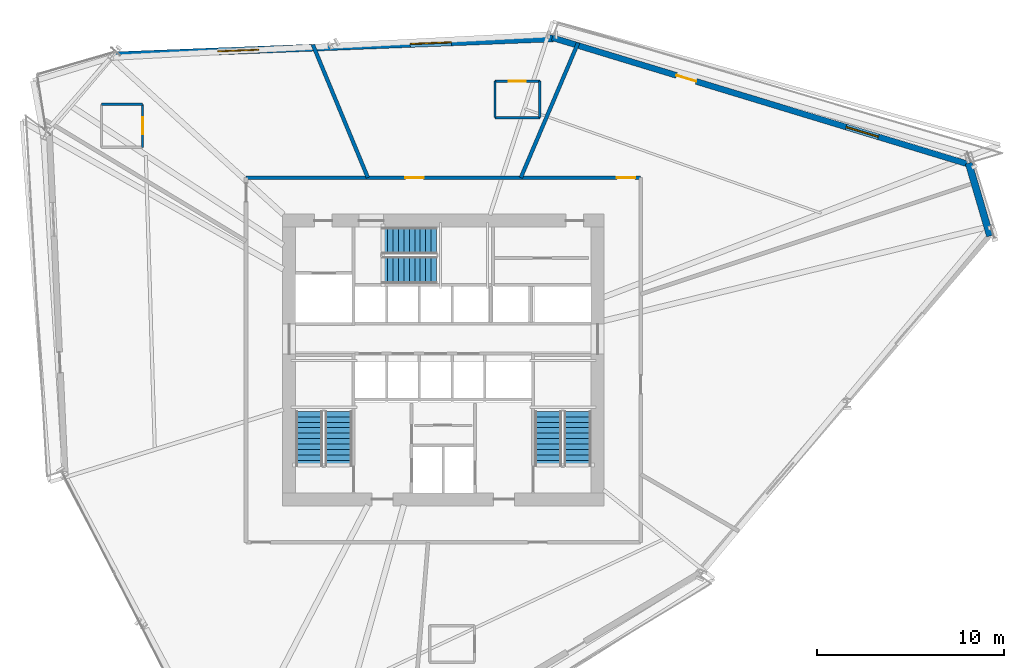
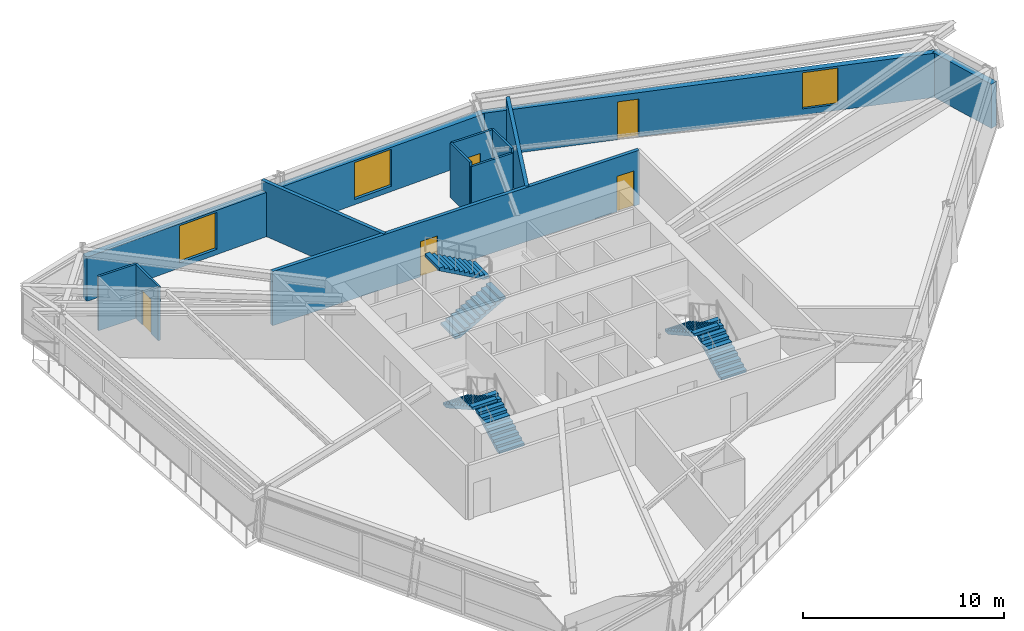
# One storey, part 15 of 19: 12 walls, 6 stair flights, 5 doors, 3 windows, 8 openings, 3 elements without a shape of their own.
"""IFC4 building model written with IfcOpenShell, lengths in metres."""

from ifc_helpers import new_model, si_unit, direction, frame, frame_2d, origin, place, context, subcontext, project, spatial, polyline, rectangle, outline, extrude, source, transform, mapped, material, layer, layer_set, type_object, type_shapes, element, fill, aggregate, save


model = new_model("IFC4")

# Units and contexts
model_context = context("Model", 3, precision=1e-05, world=origin(), true_north=direction((0.0, 1.0)))
body_context = subcontext(model_context, "Body", "Model", "MODEL_VIEW")
ifc_project = project(units=[si_unit("LENGTHUNIT", "METRE"), si_unit("AREAUNIT", "SQUARE_METRE"), si_unit("VOLUMEUNIT", "CUBIC_METRE"), si_unit("PLANEANGLEUNIT", "RADIAN"), si_unit("MASSUNIT", "GRAM", prefix="KILO")], contexts=[model_context])

# Site, building, storey
site_placement = place(None, origin())
site = spatial("IfcSite", under=ifc_project, at=site_placement, CompositionType="ELEMENT")
building_placement = place(site_placement, origin())
building = spatial("IfcBuilding", under=site, at=building_placement, Name="Olszyna Solenne Hotel", CompositionType="ELEMENT")
storey_placement = place(building_placement, frame((0.0, 0.0, 102.14990234375)))
storey = spatial("IfcBuildingStorey", under=building, at=storey_placement, Name="L26", CompositionType="ELEMENT", Elevation=102.14990234375)

# Wall, openings, door, window
ifc_material_1 = material(Name="Precast concrete C45/55", Category="concrete")
ifc_layer_1 = layer(ifc_material_1, 0.320068359375, Name="Precast concrete C45/55")
ifc_layer_set_1 = layer_set([ifc_layer_1], Name="Precast concrete C45/55")
wall_type_1 = type_object("IfcWallType", Name="WL-EX320", PredefinedType="SOLIDWALL", material=ifc_layer_set_1)
wall_1_placement = place(storey_placement, frame((43.819580078125, 43.837890625, 0.0), z_axis=(0.0, 0.0, 1.0), x_axis=(0.956744940145, -0.290928031491, 0.0)))
wall_1 = element("IfcWall", 1, at=wall_1_placement, inside=storey, type_object=wall_type_1, Name="Exterior terracotta-precast frame wall WL-EX320 EW-L26-08", PredefinedType="SOLIDWALL", context=body_context, shape_type="SweptSolid", body=[
    extrude(rectangle(XDim=23.41650390625, YDim=0.320068359375, at=frame_2d((11.708251953125, 0.0))), origin(), (0.0, 0.0, 1.0), 2.692138671875),
])
opening_1_placement = place(wall_1_placement, frame((6.943115234375, 0.0, 0.0)))
opening_1 = element("IfcOpeningElement", 2, at=opening_1_placement, cuts=wall_1, Name="Opening LDG-L26-1", PredefinedType="OPENING", context=body_context, shape_type="SweptSolid", body=[
    extrude(rectangle(XDim=1.10009765625, YDim=2.300048828125, at=frame_2d((0.550048828125, 1.14990234375))), frame((0.0, 0.169921875, 0.0), z_axis=(0.0, -1.0, 0.0), x_axis=(1.0, 0.0, 0.0)), (0.0, 0.0, 1.0), 0.340087890625),
])
opening_2_placement = place(wall_1_placement, frame((16.427978515625, 0.0, 0.3720703125)))
opening_2 = element("IfcOpeningElement", 3, at=opening_2_placement, cuts=wall_1, Name="Opening WN-L26-144", PredefinedType="OPENING", context=body_context, shape_type="SweptSolid", body=[
    extrude(rectangle(XDim=1.800048828125, YDim=2.199951171875, at=frame_2d((0.89990234375, 1.10009765625))), frame((0.0, 0.169921875, 0.0), z_axis=(0.0, -1.0, 0.0), x_axis=(1.0, 0.0, 0.0)), (0.0, 0.0, 1.0), 0.340087890625),
])
ifc_material_2 = material(Name="Anodised bronze aluminium", Category="aluminium")
door_type_1 = type_object("IfcDoorType", Name="DR-LG1", OperationType="NOTDEFINED", PredefinedType="DOOR", material=ifc_material_2)
shared_shape_1 = source(origin(), body_context, "Body", "SweptSolid", [
    extrude(rectangle(XDim=1.10009765625, YDim=2.300048828125, at=frame_2d((0.550048828125, 1.14990234375))), frame((0.0, 0.02490234375, 0.0), z_axis=(0.0, -1.0, 0.0), x_axis=(1.0, 0.0, 0.0)), (0.0, 0.0, 1.0), 0.050048828125),
])
type_shapes(door_type_1, [shared_shape_1])
door_1_placement = place(opening_1_placement, origin())
door_1 = element("IfcDoor", 4, at=door_1_placement, inside=storey, type_object=door_type_1, Name="Exterior loggia balcony door DR-LG1 LDG-L26-1", OperationType="SINGLE_SWING_RIGHT", OverallHeight=2.300048828125, OverallWidth=1.10009765625, PredefinedType="DOOR", context=body_context, shape_type="MappedRepresentation", body=[
    mapped(shared_shape_1, transform((0.0, 0.0, 0.0), x_axis=(1.0, 0.0, 0.0), y_axis=(0.0, 1.0, 0.0), z_axis=(0.0, 0.0, 1.0), scale=1.0)),
])
fill(opening_1, door_1)
ifc_material_3 = material(Name="Low-E triple glazing", Category="glass")
window_type_1 = type_object("IfcWindowType", Name="WN-HT1", PartitioningType="SINGLE_PANEL", PredefinedType="WINDOW", material=ifc_material_3)
shared_shape_2 = source(origin(), body_context, "Body", "SweptSolid", [
    extrude(rectangle(XDim=1.800048828125, YDim=2.199951171875, at=frame_2d((0.89990234375, 1.10009765625))), frame((0.0, 0.030029296875, 0.0), z_axis=(0.0, -1.0, 0.0), x_axis=(1.0, 0.0, 0.0)), (0.0, 0.0, 1.0), 0.06005859375),
])
type_shapes(window_type_1, [shared_shape_2])
window_1_placement = place(opening_2_placement, origin())
window_1 = element("IfcWindow", 5, at=window_1_placement, inside=storey, type_object=window_type_1, Name="Loggia room window WN-HT1 WN-L26-144", OverallHeight=2.199951171875, OverallWidth=1.800048828125, PartitioningType="SINGLE_PANEL", PredefinedType="WINDOW", context=body_context, shape_type="MappedRepresentation", body=[
    mapped(shared_shape_2, transform((0.0, 0.0, 0.0), x_axis=(1.0, 0.0, 0.0), y_axis=(0.0, 1.0, 0.0), z_axis=(0.0, 0.0, 1.0), scale=1.0)),
])
fill(opening_2, window_1)

# Wall, openings, windows
ifc_material_4 = material(Name="Terracotta cladding on precast concrete C45/55", Category="masonry")
ifc_layer_2 = layer(ifc_material_4, 0.3798828125, Name="Terracotta cladding on precast concrete C45/55")
ifc_layer_set_2 = layer_set([ifc_layer_2], Name="Terracotta cladding on precast concrete C45/55")
wall_type_2 = type_object("IfcWallType", Name="WL-EX380", PredefinedType="SOLIDWALL", material=ifc_layer_set_2)
wall_2_placement = place(storey_placement, frame((20.474853515625, 42.893798828125, 0.0), z_axis=(0.0, 0.0, 1.0), x_axis=(0.999249191087, 0.038743439593, 0.0)))
wall_2 = element("IfcWall", 6, at=wall_2_placement, inside=storey, type_object=wall_type_2, Name="Exterior terracotta-precast frame wall WL-EX380 EW-L26-07", PredefinedType="SOLIDWALL", context=body_context, shape_type="SweptSolid", body=[
    extrude(rectangle(XDim=23.416259765625, YDim=0.3798828125, at=frame_2d((11.7080078125, 0.0))), origin(), (0.0, 0.0, 1.0), 2.692138671875),
])
opening_3_placement = place(wall_2_placement, frame((5.45703125, 0.0, 0.322021484375)))
opening_3 = element("IfcOpeningElement", 7, at=opening_3_placement, cuts=wall_2, Name="Opening WN-L26-142", PredefinedType="OPENING", context=body_context, shape_type="SweptSolid", body=[
    extrude(rectangle(XDim=2.199951171875, YDim=2.25, at=frame_2d((1.10009765625, 1.125))), frame((0.0, 0.199951171875, 0.0), z_axis=(0.0, -1.0, 0.0), x_axis=(1.0, 0.0, 0.0)), (0.0, 0.0, 1.0), 0.39990234375),
])
opening_4_placement = place(wall_2_placement, frame((15.760009765625, 0.0, 0.322021484375)))
opening_4 = element("IfcOpeningElement", 8, at=opening_4_placement, cuts=wall_2, Name="Opening WN-L26-143", PredefinedType="OPENING", context=body_context, shape_type="SweptSolid", body=[
    extrude(rectangle(XDim=2.199951171875, YDim=2.25, at=frame_2d((1.10009765625, 1.125))), frame((0.0, 0.199951171875, 0.0), z_axis=(0.0, -1.0, 0.0), x_axis=(1.0, 0.0, 0.0)), (0.0, 0.0, 1.0), 0.39990234375),
])
window_type_2 = type_object("IfcWindowType", Name="WN-HT2", PartitioningType="SINGLE_PANEL", PredefinedType="WINDOW", material=ifc_material_3)
shared_shape_3 = source(origin(), body_context, "Body", "SweptSolid", [
    extrude(rectangle(XDim=2.199951171875, YDim=2.25, at=frame_2d((1.10009765625, 1.125))), frame((0.0, 0.030029296875, 0.0), z_axis=(0.0, -1.0, 0.0), x_axis=(1.0, 0.0, 0.0)), (0.0, 0.0, 1.0), 0.06005859375),
])
type_shapes(window_type_2, [shared_shape_3])
window_2_placement = place(opening_3_placement, origin())
window_2 = element("IfcWindow", 9, at=window_2_placement, inside=storey, type_object=window_type_2, Name="Exterior facade window WN-HT2 WN-L26-142", OverallHeight=2.25, OverallWidth=2.199951171875, PartitioningType="SINGLE_PANEL", PredefinedType="WINDOW", context=body_context, shape_type="MappedRepresentation", body=[
    mapped(shared_shape_3, transform((0.0, 0.0, 0.0), x_axis=(1.0, 0.0, 0.0), y_axis=(0.0, 1.0, 0.0), z_axis=(0.0, 0.0, 1.0), scale=1.0)),
])
fill(opening_3, window_2)
window_3_placement = place(opening_4_placement, origin())
window_3 = element("IfcWindow", 10, at=window_3_placement, inside=storey, type_object=window_type_2, Name="Exterior facade window WN-HT2 WN-L26-143", OverallHeight=2.25, OverallWidth=2.199951171875, PartitioningType="SINGLE_PANEL", PredefinedType="WINDOW", context=body_context, shape_type="MappedRepresentation", body=[
    mapped(shared_shape_3, transform((0.0, 0.0, 0.0), x_axis=(1.0, 0.0, 0.0), y_axis=(0.0, 1.0, 0.0), z_axis=(0.0, 0.0, 1.0), scale=1.0)),
])
fill(opening_4, window_3)

# Walls
wall_3_placement = place(storey_placement, frame((66.08740234375, 37.125, 0.0), z_axis=(0.0, 0.0, 1.0), x_axis=(0.281534153889, -0.959551207698, 0.0)))
element("IfcWall", 11, at=wall_3_placement, inside=storey, type_object=wall_type_2, Name="Exterior terracotta-precast frame wall WL-EX380 EW-L26-09", PredefinedType="SOLIDWALL", context=body_context, shape_type="SweptSolid", body=[
    extrude(rectangle(XDim=4.056640625, YDim=0.3798828125, at=frame_2d((2.0283203125, 0.0))), origin(), (0.0, 0.0, 1.0), 2.692138671875),
])
ifc_material_5 = material(Name="Acoustic gypsum partition", Category="gypsum")
ifc_layer_3 = layer(ifc_material_5, 0.125, Name="Acoustic gypsum partition")
ifc_layer_set_3 = layer_set([ifc_layer_3], Name="Acoustic gypsum partition")
wall_type_3 = type_object("IfcWallType", Name="WL-PT125", PredefinedType="PARTITIONING", material=ifc_layer_set_3)
wall_4_placement = place(storey_placement, frame((43.156982421875, 39.56201171875, 0.0), z_axis=(0.0, 0.0, 1.0), x_axis=(0.0, 1.0, 0.0)))
element("IfcWall", 12, at=wall_4_placement, inside=storey, type_object=wall_type_3, Name="Interior acoustic partition WL-PT125 PW-L26-1505", PredefinedType="PARTITIONING", context=body_context, shape_type="SweptSolid", body=[
    extrude(rectangle(XDim=1.949951171875, YDim=0.125, at=frame_2d((0.97509765625, 0.0))), origin(), (0.0, 0.0, 1.0), 3.300048828125),
])

# Wall, opening, door
wall_5_placement = place(storey_placement, frame((43.156982421875, 41.511962890625, 0.0), z_axis=(0.0, 0.0, 1.0), x_axis=(-1.0, 0.0, 0.0)))
wall_5 = element("IfcWall", 13, at=wall_5_placement, inside=storey, type_object=wall_type_3, Name="Interior acoustic partition WL-PT125 PW-L26-1506", PredefinedType="PARTITIONING", context=body_context, shape_type="SweptSolid", body=[
    extrude(rectangle(XDim=2.39990234375, YDim=0.125, at=frame_2d((1.199951171875, 0.0))), origin(), (0.0, 0.0, 1.0), 3.300048828125),
])
opening_5_placement = place(wall_5_placement, frame((0.75, 0.0, 0.0)))
opening_5 = element("IfcOpeningElement", 14, at=opening_5_placement, cuts=wall_5, Name="Opening DR-L26-0354", PredefinedType="OPENING", context=body_context, shape_type="SweptSolid", body=[
    extrude(rectangle(XDim=0.89990234375, YDim=2.10009765625, at=frame_2d((0.449951171875, 1.050048828125))), frame((0.0, 0.072509765625, 0.0), z_axis=(0.0, -1.0, 0.0), x_axis=(1.0, 0.0, 0.0)), (0.0, 0.0, 1.0), 0.14501953125),
])
ifc_material_6 = material(Name="Timber hardwood", Category="wood")
door_type_2 = type_object("IfcDoorType", Name="DR-WC1", OperationType="NOTDEFINED", PredefinedType="DOOR", material=ifc_material_6)
shared_shape_4 = source(origin(), body_context, "Body", "SweptSolid", [
    extrude(rectangle(XDim=0.89990234375, YDim=2.10009765625, at=frame_2d((0.449951171875, 1.050048828125))), frame((0.0, 0.02490234375, 0.0), z_axis=(0.0, -1.0, 0.0), x_axis=(1.0, 0.0, 0.0)), (0.0, 0.0, 1.0), 0.050048828125),
])
type_shapes(door_type_2, [shared_shape_4])
door_2_placement = place(opening_5_placement, origin())
door_2 = element("IfcDoor", 15, at=door_2_placement, inside=storey, type_object=door_type_2, Name="En-Suite Bathroom Door DR-L26-0354", OperationType="SINGLE_SWING_RIGHT", OverallHeight=2.10009765625, OverallWidth=0.89990234375, PredefinedType="DOOR", context=body_context, shape_type="MappedRepresentation", body=[
    mapped(shared_shape_4, transform((0.0, 0.0, 0.0), x_axis=(1.0, 0.0, 0.0), y_axis=(0.0, 1.0, 0.0), z_axis=(0.0, 0.0, 1.0), scale=1.0)),
])
fill(opening_5, door_2)

# Walls
wall_6_placement = place(storey_placement, frame((40.757080078125, 41.511962890625, 0.0), z_axis=(0.0, 0.0, 1.0), x_axis=(0.0, -1.0, 0.0)))
element("IfcWall", 16, at=wall_6_placement, inside=storey, type_object=wall_type_3, Name="Interior acoustic partition WL-PT125 PW-L26-1507", PredefinedType="PARTITIONING", context=body_context, shape_type="SweptSolid", body=[
    extrude(rectangle(XDim=1.949951171875, YDim=0.125, at=frame_2d((0.97509765625, 0.0))), origin(), (0.0, 0.0, 1.0), 3.300048828125),
])
wall_7_placement = place(storey_placement, frame((40.757080078125, 39.56201171875, 0.0), z_axis=(0.0, 0.0, 1.0), x_axis=(1.0, 0.0, 0.0)))
element("IfcWall", 17, at=wall_7_placement, inside=storey, type_object=wall_type_3, Name="Interior acoustic partition WL-PT125 PW-L26-1508", PredefinedType="PARTITIONING", context=body_context, shape_type="SweptSolid", body=[
    extrude(rectangle(XDim=2.39990234375, YDim=0.125, at=frame_2d((1.199951171875, 0.0))), origin(), (0.0, 0.0, 1.0), 3.045166015625),
])

# Wall, opening, door
wall_8_placement = place(storey_placement, frame((21.9140625, 37.970947265625, 0.0), z_axis=(0.0, 0.0, 1.0), x_axis=(0.0, 1.0, 0.0)))
wall_8 = element("IfcWall", 18, at=wall_8_placement, inside=storey, type_object=wall_type_3, Name="Interior acoustic partition WL-PT125 PW-L26-1509", PredefinedType="PARTITIONING", context=body_context, shape_type="SweptSolid", body=[
    extrude(rectangle(XDim=2.300048828125, YDim=0.125, at=frame_2d((1.14990234375, 0.0))), origin(), (0.0, 0.0, 1.0), 3.300048828125),
])
opening_6_placement = place(wall_8_placement, frame((0.699951171875, 0.0, 0.0)))
opening_6 = element("IfcOpeningElement", 19, at=opening_6_placement, cuts=wall_8, Name="Opening DR-L26-0355", PredefinedType="OPENING", context=body_context, shape_type="SweptSolid", body=[
    extrude(rectangle(XDim=0.89990234375, YDim=2.10009765625, at=frame_2d((0.449951171875, 1.050048828125))), frame((0.0, 0.072509765625, 0.0), z_axis=(0.0, -1.0, 0.0), x_axis=(1.0, 0.0, 0.0)), (0.0, 0.0, 1.0), 0.14501953125),
])
door_3_placement = place(opening_6_placement, origin())
door_3 = element("IfcDoor", 20, at=door_3_placement, inside=storey, type_object=door_type_2, Name="En-Suite Bathroom Door DR-L26-0355", OperationType="SINGLE_SWING_LEFT", OverallHeight=2.10009765625, OverallWidth=0.89990234375, PredefinedType="DOOR", context=body_context, shape_type="MappedRepresentation", body=[
    mapped(shared_shape_4, transform((0.0, 0.0, 0.0), x_axis=(1.0, 0.0, 0.0), y_axis=(0.0, 1.0, 0.0), z_axis=(0.0, 0.0, 1.0), scale=1.0)),
])
fill(opening_6, door_3)

# Walls
wall_9_placement = place(storey_placement, frame((21.9140625, 40.27099609375, 0.0), z_axis=(0.0, 0.0, 1.0), x_axis=(-1.0, 0.0, 0.0)))
element("IfcWall", 21, at=wall_9_placement, inside=storey, type_object=wall_type_3, Name="Interior acoustic partition WL-PT125 PW-L26-1510", PredefinedType="PARTITIONING", context=body_context, shape_type="SweptSolid", body=[
    extrude(rectangle(XDim=2.199951171875, YDim=0.125, at=frame_2d((1.10009765625, 0.0))), origin(), (0.0, 0.0, 1.0), 3.300048828125),
])
ifc_layer_4 = layer(ifc_material_5, 0.199951171875, Name="Acoustic gypsum partition")
ifc_layer_set_4 = layer_set([ifc_layer_4], Name="Acoustic gypsum partition")
wall_type_4 = type_object("IfcWallType", Name="WL-PT200", PredefinedType="PARTITIONING", material=ifc_layer_set_4)
wall_10_placement = place(storey_placement, frame((42.140625, 36.35009765625, 0.0), z_axis=(0.0, 0.0, 1.0), x_axis=(0.390916709441, 0.920426056932, 0.0)))
element("IfcWall", 22, at=wall_10_placement, inside=storey, type_object=wall_type_4, Name="Interior acoustic partition WL-PT200 PW-L26-1499", PredefinedType="PARTITIONING", context=body_context, shape_type="SweptSolid", body=[
    extrude(rectangle(XDim=7.82666015625, YDim=0.199951171875, at=frame_2d((3.913330078125, 0.0))), origin(), (0.0, 0.0, 1.0), 3.300048828125),
])
wall_11_placement = place(storey_placement, frame((33.96240234375, 36.35009765625, 0.0), z_axis=(0.0, 0.0, 1.0), x_axis=(-0.382610403036, 0.923909778868, 0.0)))
element("IfcWall", 23, at=wall_11_placement, inside=storey, type_object=wall_type_4, Name="Interior acoustic partition WL-PT200 PW-L26-1500", PredefinedType="PARTITIONING", context=body_context, shape_type="SweptSolid", body=[
    extrude(rectangle(XDim=7.698486328125, YDim=0.199951171875, at=frame_2d((3.84912109375, 0.0))), origin(), (0.0, 0.0, 1.0), 3.300048828125),
])

# Wall, openings, doors
wall_12_placement = place(storey_placement, frame((27.449951171875, 36.35009765625, 0.0), z_axis=(0.0, 0.0, 1.0), x_axis=(1.0, 0.0, 0.0)))
wall_12 = element("IfcWall", 24, at=wall_12_placement, inside=storey, type_object=wall_type_4, Name="Interior acoustic partition WL-PT200 PW-L26-1515", PredefinedType="PARTITIONING", context=body_context, shape_type="SweptSolid", body=[
    extrude(rectangle(XDim=21.10009765625, YDim=0.199951171875, at=frame_2d((10.550048828125, 0.0))), origin(), (0.0, 0.0, 1.0), 3.300048828125),
])
opening_7_placement = place(wall_12_placement, frame((19.820068359375, 0.0, 0.0)))
opening_7 = element("IfcOpeningElement", 25, at=opening_7_placement, cuts=wall_12, Name="Opening DR-L26-0359", PredefinedType="OPENING", context=body_context, shape_type="SweptSolid", body=[
    extrude(rectangle(XDim=0.97998046875, YDim=2.14990234375, at=frame_2d((0.489990234375, 1.074951171875))), frame((0.0, 0.10986328125, 0.0), z_axis=(0.0, -1.0, 0.0), x_axis=(1.0, 0.0, 0.0)), (0.0, 0.0, 1.0), 0.219970703125),
])
opening_8_placement = place(wall_12_placement, frame((8.512939453125, 0.0, 0.0)))
opening_8 = element("IfcOpeningElement", 26, at=opening_8_placement, cuts=wall_12, Name="Opening DR-L26-0360", PredefinedType="OPENING", context=body_context, shape_type="SweptSolid", body=[
    extrude(rectangle(XDim=0.97998046875, YDim=2.14990234375, at=frame_2d((0.489990234375, 1.074951171875))), frame((0.0, 0.10986328125, 0.0), z_axis=(0.0, -1.0, 0.0), x_axis=(1.0, 0.0, 0.0)), (0.0, 0.0, 1.0), 0.219970703125),
])
door_type_3 = type_object("IfcDoorType", Name="DR-RM1", OperationType="NOTDEFINED", PredefinedType="DOOR", material=ifc_material_6)
shared_shape_5 = source(origin(), body_context, "Body", "SweptSolid", [
    extrude(rectangle(XDim=0.97998046875, YDim=2.14990234375, at=frame_2d((0.489990234375, 1.074951171875))), frame((0.0, 0.02490234375, 0.0), z_axis=(0.0, -1.0, 0.0), x_axis=(1.0, 0.0, 0.0)), (0.0, 0.0, 1.0), 0.050048828125),
])
type_shapes(door_type_3, [shared_shape_5])
door_4_placement = place(opening_7_placement, origin())
door_4 = element("IfcDoor", 27, at=door_4_placement, inside=storey, type_object=door_type_3, Name="Breakfast Tasting Salon Entrance Door DR-L26-0359", OperationType="SINGLE_SWING_RIGHT", OverallHeight=2.14990234375, OverallWidth=0.97998046875, PredefinedType="DOOR", context=body_context, shape_type="MappedRepresentation", body=[
    mapped(shared_shape_5, transform((0.0, 0.0, 0.0), x_axis=(1.0, 0.0, 0.0), y_axis=(0.0, 1.0, 0.0), z_axis=(0.0, 0.0, 1.0), scale=1.0)),
])
fill(opening_7, door_4)
door_5_placement = place(opening_8_placement, origin())
door_5 = element("IfcDoor", 28, at=door_5_placement, inside=storey, type_object=door_type_3, Name="Deluxe Hotel Guestroom Entrance Door DR-L26-0360", OperationType="SINGLE_SWING_LEFT", OverallHeight=2.14990234375, OverallWidth=0.97998046875, PredefinedType="DOOR", context=body_context, shape_type="MappedRepresentation", body=[
    mapped(shared_shape_5, transform((0.0, 0.0, 0.0), x_axis=(1.0, 0.0, 0.0), y_axis=(0.0, 1.0, 0.0), z_axis=(0.0, 0.0, 1.0), scale=1.0)),
])
fill(opening_8, door_5)

# Stair, stair flights
ifc_material_7 = material(Name="Concrete C40/50", Category="concrete")
stair_type = type_object("IfcStairType", Name="STR-C1", PredefinedType="TWO_QUARTER_WINDING_STAIR", material=ifc_material_7)
stair_1_placement = place(storey_placement, origin())
stair_1 = element("IfcStair", 29, at=stair_1_placement, inside=storey, type_object=stair_type, Name="L26 ST1", PredefinedType="TWO_QUARTER_WINDING_STAIR")
stair_flight_type = type_object("IfcStairFlightType", Name="FLT-C1", PredefinedType="STRAIGHT", material=ifc_material_7)
stair_flight_1_placement = place(storey_placement, frame((32.39501953125, 20.949951171875, 0.0), z_axis=(0.0, 0.0, 1.0), x_axis=(0.0, 1.0, 0.0)))
stair_flight_1 = element("IfcStairFlight", 30, at=stair_flight_1_placement, type_object=stair_flight_type, Name="ST1 flight 1", NumberOfRisers=11, NumberOfTreads=10, PredefinedType="STRAIGHT", RiserHeight=0.161363636, TreadLength=0.29, context=body_context, shape_type="SweptSolid", body=[
    extrude(outline(polyline([(0.0, 0.0), (0.0, 0.161376953125), (0.2900390625, 0.161376953125), (0.2900390625, 0.32275390625), (0.580078125, 0.32275390625), (0.580078125, 0.484130859375), (0.8701171875, 0.484130859375), (0.8701171875, 0.6455078125), (1.159912109375, 0.6455078125), (1.159912109375, 0.806884765625), (1.449951171875, 0.806884765625), (1.449951171875, 0.96826171875), (1.739990234375, 0.96826171875), (1.739990234375, 1.129638671875), (2.030029296875, 1.129638671875), (2.030029296875, 1.291015625), (2.320068359375, 1.291015625), (2.320068359375, 1.452392578125), (2.610107421875, 1.452392578125), (2.610107421875, 1.613525390625), (2.89990234375, 1.613525390625), (2.89990234375, 1.77490234375), (2.89990234375, 1.442138671875), (0.308349609375, 0.0), (0.0, 0.0)])), frame((0.0, 0.72509765625, 0.0), z_axis=(0.0, -1.0, 0.0), x_axis=(1.0, 0.0, 0.0)), (0.0, 0.0, 1.0), 1.449951171875),
])
stair_flight_2_placement = place(storey_placement, frame((30.824951171875, 23.85009765625, 1.775146484375), z_axis=(0.0, 0.0, 1.0), x_axis=(0.0, -1.0, 0.0)))
stair_flight_2 = element("IfcStairFlight", 31, at=stair_flight_2_placement, type_object=stair_flight_type, Name="ST1 flight 2", NumberOfRisers=11, NumberOfTreads=10, PredefinedType="STRAIGHT", RiserHeight=0.161363636, TreadLength=0.29, context=body_context, shape_type="SweptSolid", body=[
    extrude(outline(polyline([(0.0, 0.0), (0.0, 0.161376953125), (0.2900390625, 0.161376953125), (0.2900390625, 0.32275390625), (0.580078125, 0.32275390625), (0.580078125, 0.484130859375), (0.8701171875, 0.484130859375), (0.8701171875, 0.6455078125), (1.159912109375, 0.6455078125), (1.159912109375, 0.806884765625), (1.449951171875, 0.806884765625), (1.449951171875, 0.96826171875), (1.739990234375, 0.96826171875), (1.739990234375, 1.129638671875), (2.030029296875, 1.129638671875), (2.030029296875, 1.291015625), (2.320068359375, 1.291015625), (2.320068359375, 1.452392578125), (2.610107421875, 1.452392578125), (2.610107421875, 1.613525390625), (2.89990234375, 1.613525390625), (2.89990234375, 1.77490234375), (2.89990234375, 1.442138671875), (0.308349609375, 0.0), (0.0, 0.0)])), frame((0.0, 0.72509765625, 0.0), z_axis=(0.0, -1.0, 0.0), x_axis=(1.0, 0.0, 0.0)), (0.0, 0.0, 1.0), 1.449951171875),
])
aggregate(stair_1, [stair_flight_1, stair_flight_2])

stair_2_placement = place(storey_placement, origin())
stair_2 = element("IfcStair", 32, at=stair_2_placement, inside=storey, type_object=stair_type, Name="L26 ST2", PredefinedType="TWO_QUARTER_WINDING_STAIR")
stair_flight_3_placement = place(storey_placement, frame((45.175048828125, 20.949951171875, 0.0), z_axis=(0.0, 0.0, 1.0), x_axis=(0.0, 1.0, 0.0)))
stair_flight_3 = element("IfcStairFlight", 33, at=stair_flight_3_placement, type_object=stair_flight_type, Name="ST2 flight 1", NumberOfRisers=11, NumberOfTreads=10, PredefinedType="STRAIGHT", RiserHeight=0.161363636, TreadLength=0.29, context=body_context, shape_type="SweptSolid", body=[
    extrude(outline(polyline([(0.0, 0.0), (0.0, 0.161376953125), (0.2900390625, 0.161376953125), (0.2900390625, 0.32275390625), (0.580078125, 0.32275390625), (0.580078125, 0.484130859375), (0.8701171875, 0.484130859375), (0.8701171875, 0.6455078125), (1.159912109375, 0.6455078125), (1.159912109375, 0.806884765625), (1.449951171875, 0.806884765625), (1.449951171875, 0.96826171875), (1.739990234375, 0.96826171875), (1.739990234375, 1.129638671875), (2.030029296875, 1.129638671875), (2.030029296875, 1.291015625), (2.320068359375, 1.291015625), (2.320068359375, 1.452392578125), (2.610107421875, 1.452392578125), (2.610107421875, 1.613525390625), (2.89990234375, 1.613525390625), (2.89990234375, 1.77490234375), (2.89990234375, 1.442138671875), (0.308349609375, 0.0), (0.0, 0.0)])), frame((0.0, 0.72509765625, 0.0), z_axis=(0.0, -1.0, 0.0), x_axis=(1.0, 0.0, 0.0)), (0.0, 0.0, 1.0), 1.449951171875),
])
stair_flight_4_placement = place(storey_placement, frame((43.60498046875, 23.85009765625, 1.775146484375), z_axis=(0.0, 0.0, 1.0), x_axis=(0.0, -1.0, 0.0)))
stair_flight_4 = element("IfcStairFlight", 34, at=stair_flight_4_placement, type_object=stair_flight_type, Name="ST2 flight 2", NumberOfRisers=11, NumberOfTreads=10, PredefinedType="STRAIGHT", RiserHeight=0.161363636, TreadLength=0.29, context=body_context, shape_type="SweptSolid", body=[
    extrude(outline(polyline([(0.0, 0.0), (0.0, 0.161376953125), (0.2900390625, 0.161376953125), (0.2900390625, 0.32275390625), (0.580078125, 0.32275390625), (0.580078125, 0.484130859375), (0.8701171875, 0.484130859375), (0.8701171875, 0.6455078125), (1.159912109375, 0.6455078125), (1.159912109375, 0.806884765625), (1.449951171875, 0.806884765625), (1.449951171875, 0.96826171875), (1.739990234375, 0.96826171875), (1.739990234375, 1.129638671875), (2.030029296875, 1.129638671875), (2.030029296875, 1.291015625), (2.320068359375, 1.291015625), (2.320068359375, 1.452392578125), (2.610107421875, 1.452392578125), (2.610107421875, 1.613525390625), (2.89990234375, 1.613525390625), (2.89990234375, 1.77490234375), (2.89990234375, 1.442138671875), (0.308349609375, 0.0), (0.0, 0.0)])), frame((0.0, 0.72509765625, 0.0), z_axis=(0.0, -1.0, 0.0), x_axis=(1.0, 0.0, 0.0)), (0.0, 0.0, 1.0), 1.449951171875),
])
aggregate(stair_2, [stair_flight_3, stair_flight_4])

stair_3_placement = place(storey_placement, origin())
stair_3 = element("IfcStair", 35, at=stair_3_placement, inside=storey, type_object=stair_type, Name="L26 ST3", PredefinedType="TWO_QUARTER_WINDING_STAIR")
stair_flight_5_placement = place(storey_placement, frame((34.72998046875, 31.405029296875, 0.0), z_axis=(0.0, 0.0, 1.0), x_axis=(1.0, 0.0, 0.0)))
stair_flight_5 = element("IfcStairFlight", 36, at=stair_flight_5_placement, type_object=stair_flight_type, Name="ST3 flight 1", NumberOfRisers=11, NumberOfTreads=10, PredefinedType="STRAIGHT", RiserHeight=0.161363636, TreadLength=0.29, context=body_context, shape_type="SweptSolid", body=[
    extrude(outline(polyline([(0.0, 0.0), (0.0, 0.161376953125), (0.2900390625, 0.161376953125), (0.2900390625, 0.32275390625), (0.580078125, 0.32275390625), (0.580078125, 0.484130859375), (0.8701171875, 0.484130859375), (0.8701171875, 0.6455078125), (1.159912109375, 0.6455078125), (1.159912109375, 0.806884765625), (1.449951171875, 0.806884765625), (1.449951171875, 0.96826171875), (1.739990234375, 0.96826171875), (1.739990234375, 1.129638671875), (2.030029296875, 1.129638671875), (2.030029296875, 1.291015625), (2.320068359375, 1.291015625), (2.320068359375, 1.452392578125), (2.610107421875, 1.452392578125), (2.610107421875, 1.613525390625), (2.89990234375, 1.613525390625), (2.89990234375, 1.77490234375), (2.89990234375, 1.442138671875), (0.308349609375, 0.0), (0.0, 0.0)])), frame((0.0, 0.72509765625, 0.0), z_axis=(0.0, -1.0, 0.0), x_axis=(1.0, 0.0, 0.0)), (0.0, 0.0, 1.0), 1.449951171875),
])
stair_flight_6_placement = place(storey_placement, frame((37.6298828125, 32.97509765625, 1.775146484375), z_axis=(0.0, 0.0, 1.0), x_axis=(-1.0, 0.0, 0.0)))
stair_flight_6 = element("IfcStairFlight", 37, at=stair_flight_6_placement, type_object=stair_flight_type, Name="ST3 flight 2", NumberOfRisers=11, NumberOfTreads=10, PredefinedType="STRAIGHT", RiserHeight=0.161363636, TreadLength=0.29, context=body_context, shape_type="SweptSolid", body=[
    extrude(outline(polyline([(0.0, 0.0), (0.0, 0.161376953125), (0.2900390625, 0.161376953125), (0.2900390625, 0.32275390625), (0.580078125, 0.32275390625), (0.580078125, 0.484130859375), (0.8701171875, 0.484130859375), (0.8701171875, 0.6455078125), (1.159912109375, 0.6455078125), (1.159912109375, 0.806884765625), (1.449951171875, 0.806884765625), (1.449951171875, 0.96826171875), (1.739990234375, 0.96826171875), (1.739990234375, 1.129638671875), (2.030029296875, 1.129638671875), (2.030029296875, 1.291015625), (2.320068359375, 1.291015625), (2.320068359375, 1.452392578125), (2.610107421875, 1.452392578125), (2.610107421875, 1.613525390625), (2.89990234375, 1.613525390625), (2.89990234375, 1.77490234375), (2.89990234375, 1.442138671875), (0.308349609375, 0.0), (0.0, 0.0)])), frame((0.0, 0.72509765625, 0.0), z_axis=(0.0, -1.0, 0.0), x_axis=(1.0, 0.0, 0.0)), (0.0, 0.0, 1.0), 1.449951171875),
])
aggregate(stair_3, [stair_flight_5, stair_flight_6])

save(model, "model.ifc")
